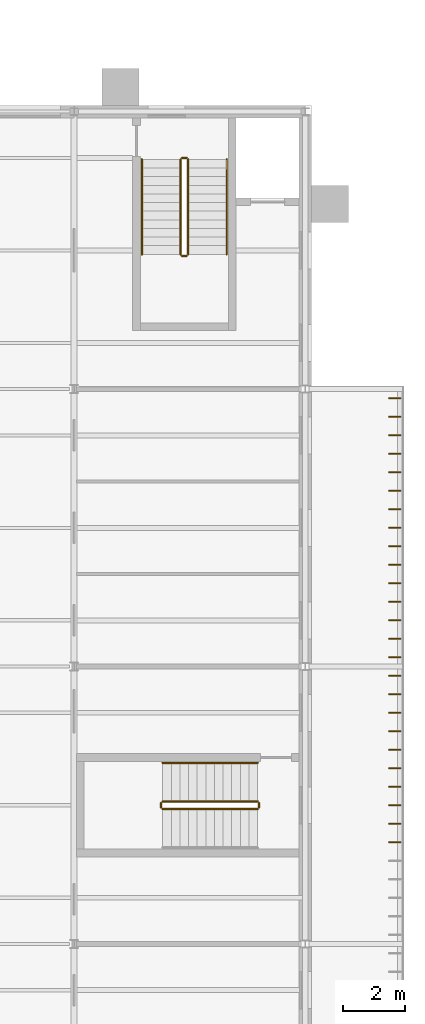
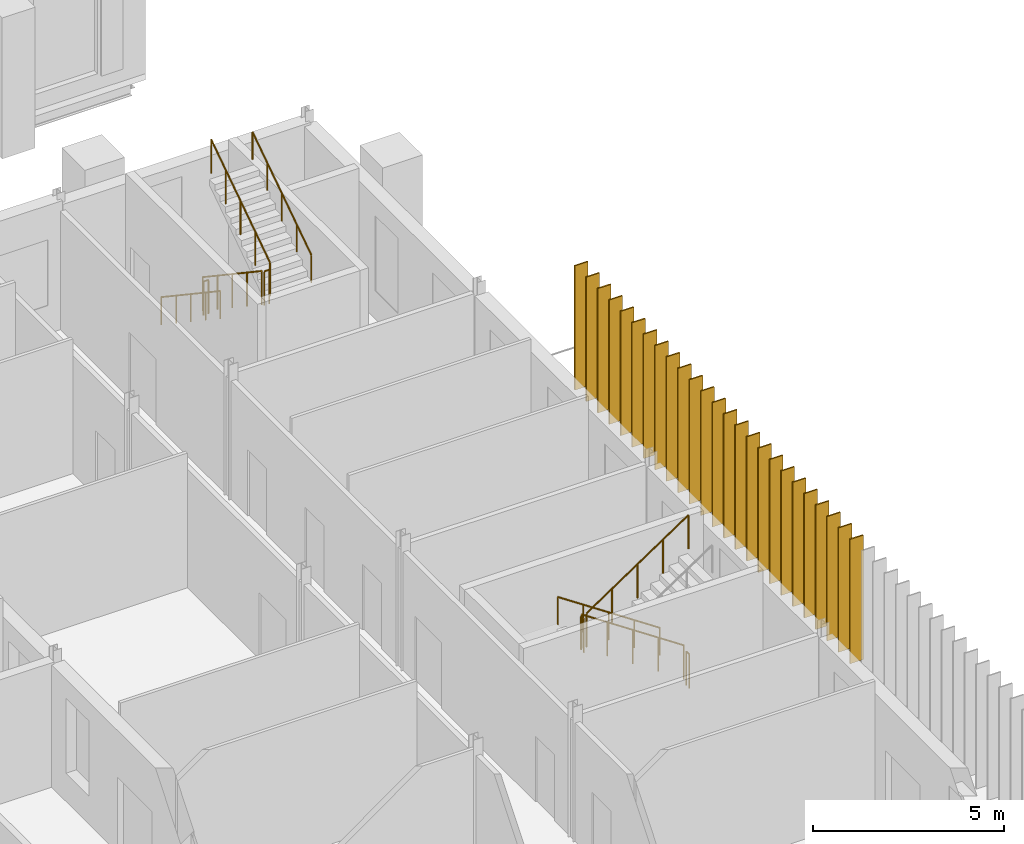
# One storey, part 128 of 134: 25 shading devices, 11 railings.
"""IFC4 building model written with IfcOpenShell, lengths in metres."""

from ifc_helpers import new_model, si_unit, direction, frame, origin, origin_2d, place, context, subcontext, project, spatial, rectangle, circle, extrude, material, layer, layer_set, type_object, element, save


model = new_model("IFC4")

# Units and contexts
model_context = context("Model", 3, precision=1e-05, world=origin(), true_north=direction((0.0, 1.0)))
body_context = subcontext(model_context, "Body", "Model", "MODEL_VIEW")
ifc_project = project(units=[si_unit("LENGTHUNIT", "METRE"), si_unit("AREAUNIT", "SQUARE_METRE"), si_unit("VOLUMEUNIT", "CUBIC_METRE"), si_unit("PLANEANGLEUNIT", "RADIAN"), si_unit("MASSUNIT", "GRAM", prefix="KILO")], contexts=[model_context])

# Site, building, storey
site_placement = place(None, origin())
site = spatial("IfcSite", under=ifc_project, at=site_placement, CompositionType="ELEMENT")
building_placement = place(site_placement, origin())
building = spatial("IfcBuilding", under=site, at=building_placement, Name="Golden Quay Civic Hall", CompositionType="ELEMENT")
storey_placement = place(building_placement, frame((0.0, 0.0, 5.39990234375)))
storey = spatial("IfcBuildingStorey", under=building, at=storey_placement, Name="L01", CompositionType="ELEMENT", Elevation=5.39990234375)

# Shading devices
ifc_material_1 = material(Name="Aluminium, anodised", Category="aluminium")
ifc_layer = layer(ifc_material_1, 0.0400390625)
ifc_layer_set = layer_set([ifc_layer], Name="Louvre fin 40 x 400")
shading_device_type = type_object("IfcShadingDeviceType", Name="Louvre fin 40 x 400", PredefinedType="JALOUSIE", material=ifc_layer_set)
for number, where, z_axis, x_axis, name in (
    (1, (173.89990234375, 30.300048828125, 0.0), (0.0, 0.0, 1.0), (0.0, 1.0, 0.0), "Louvre fin 40 x 400 L01 36"),
    (2, (173.89990234375, 30.89990234375, 0.0), (0.0, 0.0, 1.0), (0.0, 1.0, 0.0), "Louvre fin 40 x 400 L01 37"),
    (3, (173.89990234375, 31.5, 0.0), (0.0, 0.0, 1.0), (0.0, 1.0, 0.0), "Louvre fin 40 x 400 L01 38"),
    (4, (173.89990234375, 32.10009765625, 0.0), (0.0, 0.0, 1.0), (0.0, 1.0, 0.0), "Louvre fin 40 x 400 L01 39"),
    (5, (173.89990234375, 32.699951171875, 0.0), (0.0, 0.0, 1.0), (0.0, 1.0, 0.0), "Louvre fin 40 x 400 L01 40"),
    (6, (173.89990234375, 33.300048828125, 0.0), (0.0, 0.0, 1.0), (0.0, 1.0, 0.0), "Louvre fin 40 x 400 L01 41"),
    (7, (173.89990234375, 33.89990234375, 0.0), (0.0, 0.0, 1.0), (0.0, 1.0, 0.0), "Louvre fin 40 x 400 L01 42"),
    (8, (173.89990234375, 34.5, 0.0), (0.0, 0.0, 1.0), (0.0, 1.0, 0.0), "Louvre fin 40 x 400 L01 43"),
    (9, (173.89990234375, 35.10009765625, 0.0), (0.0, 0.0, 1.0), (0.0, 1.0, 0.0), "Louvre fin 40 x 400 L01 44"),
    (10, (173.89990234375, 35.699951171875, 0.0), (0.0, 0.0, 1.0), (0.0, 1.0, 0.0), "Louvre fin 40 x 400 L01 45"),
    (11, (173.89990234375, 36.300048828125, 0.0), (0.0, 0.0, 1.0), (0.0, 1.0, 0.0), "Louvre fin 40 x 400 L01 46"),
    (12, (173.89990234375, 36.89990234375, 0.0), (0.0, 0.0, 1.0), (0.0, 1.0, 0.0), "Louvre fin 40 x 400 L01 47"),
    (13, (173.89990234375, 37.5, 0.0), (0.0, 0.0, 1.0), (0.0, 1.0, 0.0), "Louvre fin 40 x 400 L01 48"),
    (14, (173.89990234375, 38.10009765625, 0.0), (0.0, 0.0, 1.0), (0.0, 1.0, 0.0), "Louvre fin 40 x 400 L01 49"),
    (15, (173.89990234375, 38.699951171875, 0.0), (0.0, 0.0, 1.0), (0.0, 1.0, 0.0), "Louvre fin 40 x 400 L01 50"),
    (16, (173.89990234375, 39.300048828125, 0.0), (0.0, 0.0, 1.0), (0.0, 1.0, 0.0), "Louvre fin 40 x 400 L01 51"),
    (17, (173.89990234375, 39.89990234375, 0.0), (0.0, 0.0, 1.0), (0.0, 1.0, 0.0), "Louvre fin 40 x 400 L01 52"),
    (18, (173.89990234375, 40.5, 0.0), (0.0, 0.0, 1.0), (0.0, 1.0, 0.0), "Louvre fin 40 x 400 L01 53"),
    (19, (173.89990234375, 41.10009765625, 0.0), (0.0, 0.0, 1.0), (0.0, 1.0, 0.0), "Louvre fin 40 x 400 L01 54"),
    (20, (173.89990234375, 41.699951171875, 0.0), (0.0, 0.0, 1.0), (0.0, 1.0, 0.0), "Louvre fin 40 x 400 L01 55"),
    (21, (173.89990234375, 42.300048828125, 0.0), (0.0, 0.0, 1.0), (0.0, 1.0, 0.0), "Louvre fin 40 x 400 L01 56"),
    (22, (173.89990234375, 42.89990234375, 0.0), (0.0, 0.0, 1.0), (0.0, 1.0, 0.0), "Louvre fin 40 x 400 L01 57"),
    (23, (173.89990234375, 43.5, 0.0), (0.0, 0.0, 1.0), (0.0, 1.0, 0.0), "Louvre fin 40 x 400 L01 58"),
    (24, (173.89990234375, 44.10009765625, 0.0), (0.0, 0.0, 1.0), (0.0, 1.0, 0.0), "Louvre fin 40 x 400 L01 59"),
    (25, (173.89990234375, 44.699951171875, 0.0), (0.0, 0.0, 1.0), (0.0, 1.0, 0.0), "Louvre fin 40 x 400 L01 60"),
):
    element("IfcShadingDevice", number, at=place(storey_placement, frame(where, z_axis=z_axis, x_axis=x_axis)), inside=storey, type_object=shading_device_type, Name=name, PredefinedType="JALOUSIE", context=body_context, shape_type="SweptSolid", body=[
        extrude(rectangle(XDim=0.0400390625, YDim=0.39990234375, at=origin_2d()), origin(), (0.0, 0.0, 1.0), 3.969970703125),
    ])

# Railings
ifc_material_2 = material(Name="Steel S355", Category="steel")
railing_type_1 = type_object("IfcRailingType", Name="Steel guard 1100", PredefinedType="GUARDRAIL", material=ifc_material_2)
railing_1_placement = place(storey_placement, frame((166.949951171875, 52.449951171875, 0.1875)))
element("IfcRailing", 26, at=railing_1_placement, inside=storey, type_object=railing_type_1, Name="L01 EO-N stair guard 1", PredefinedType="GUARDRAIL", context=body_context, shape_type="SweptSolid", body=[
    extrude(circle(Radius=0.02392578125, at=origin_2d()), frame((0.0, 0.0, 1.076171875), z_axis=(0.0, -0.830893310487, 0.556431762742), x_axis=(1.0, 0.0, 0.0)), (0.0, 0.0, 1.0), 3.70654296875),
    extrude(circle(Radius=0.02099609375, at=origin_2d()), origin(), (0.0, 0.0, 1.0), 1.052001953125),
    extrude(circle(Radius=0.02099609375, at=origin_2d()), frame((0.0, -0.77001953125, 0.515625)), (0.0, 0.0, 1.0), 1.052001953125),
    extrude(circle(Radius=0.02099609375, at=origin_2d()), frame((0.0, -1.5400390625, 1.03125)), (0.0, 0.0, 1.0), 1.052001953125),
    extrude(circle(Radius=0.02099609375, at=origin_2d()), frame((0.0, -2.309814453125, 1.546875)), (0.0, 0.0, 1.0), 1.052001953125),
    extrude(circle(Radius=0.02099609375, at=origin_2d()), frame((0.0, -3.079833984375, 2.0625)), (0.0, 0.0, 1.0), 1.052001953125),
])
railing_2_placement = place(storey_placement, frame((167.0, 49.320068359375, 2.25)))
element("IfcRailing", 27, at=railing_2_placement, inside=storey, type_object=railing_type_1, Name="L01 EO-N stair guard 2", PredefinedType="GUARDRAIL", context=body_context, shape_type="SweptSolid", body=[
    extrude(circle(Radius=0.02392578125, at=origin_2d()), frame((0.0, 0.0, 1.076171875), z_axis=(1.0, 0.0, 0.0), x_axis=(0.0, 1.0, 0.0)), (0.0, 0.0, 1.0), 0.14990234375),
    extrude(circle(Radius=0.02099609375, at=origin_2d()), origin(), (0.0, 0.0, 1.0), 1.052001953125),
    extrude(circle(Radius=0.02099609375, at=origin_2d()), frame((0.14990234375, 0.0, 0.0)), (0.0, 0.0, 1.0), 1.052001953125),
])
railing_3_placement = place(storey_placement, frame((167.199951171875, 49.3701171875, 2.4375)))
element("IfcRailing", 28, at=railing_3_placement, inside=storey, type_object=railing_type_1, Name="L01 EO-N stair guard 3", PredefinedType="GUARDRAIL", context=body_context, shape_type="SweptSolid", body=[
    extrude(circle(Radius=0.02392578125, at=origin_2d()), frame((0.0, 0.0, 1.076171875), z_axis=(0.0, 0.830893310487, 0.556431762742), x_axis=(-1.0, 0.0, 0.0)), (0.0, 0.0, 1.0), 3.70654296875),
    extrude(circle(Radius=0.02099609375, at=origin_2d()), origin(), (0.0, 0.0, 1.0), 1.052001953125),
    extrude(circle(Radius=0.02099609375, at=origin_2d()), frame((0.0, 0.77001953125, 0.515625)), (0.0, 0.0, 1.0), 1.052001953125),
    extrude(circle(Radius=0.02099609375, at=origin_2d()), frame((0.0, 1.5400390625, 1.03125)), (0.0, 0.0, 1.0), 1.052001953125),
    extrude(circle(Radius=0.02099609375, at=origin_2d()), frame((0.0, 2.309814453125, 1.546875)), (0.0, 0.0, 1.0), 1.052001953125),
    extrude(circle(Radius=0.02099609375, at=origin_2d()), frame((0.0, 3.079833984375, 2.0625)), (0.0, 0.0, 1.0), 1.052001953125),
])
railing_4_placement = place(storey_placement, frame((167.0, 52.5, 0.0)))
element("IfcRailing", 29, at=railing_4_placement, inside=storey, type_object=railing_type_1, Name="L01 EO-N stair guard 4", PredefinedType="GUARDRAIL", context=body_context, shape_type="SweptSolid", body=[
    extrude(circle(Radius=0.02392578125, at=origin_2d()), frame((0.0, 0.0, 1.076171875), z_axis=(1.0, 0.0, 0.0), x_axis=(0.0, 1.0, 0.0)), (0.0, 0.0, 1.0), 0.14990234375),
    extrude(circle(Radius=0.02099609375, at=origin_2d()), origin(), (0.0, 0.0, 1.0), 1.052001953125),
    extrude(circle(Radius=0.02099609375, at=origin_2d()), frame((0.14990234375, 0.0, 0.0)), (0.0, 0.0, 1.0), 1.052001953125),
])
railing_5_placement = place(storey_placement, frame((169.449951171875, 31.625, 0.1875)))
element("IfcRailing", 30, at=railing_5_placement, inside=storey, type_object=railing_type_1, Name="L01 EO-M stair guard 1", PredefinedType="GUARDRAIL", context=body_context, shape_type="SweptSolid", body=[
    extrude(circle(Radius=0.02392578125, at=origin_2d()), frame((0.0, 0.0, 1.076171875), z_axis=(-0.830893310487, 0.0, 0.556431762742), x_axis=(0.0, -1.0, 0.0)), (0.0, 0.0, 1.0), 3.70654296875),
    extrude(circle(Radius=0.02099609375, at=origin_2d()), origin(), (0.0, 0.0, 1.0), 1.052001953125),
    extrude(circle(Radius=0.02099609375, at=origin_2d()), frame((-0.77001953125, 0.0, 0.515625)), (0.0, 0.0, 1.0), 1.052001953125),
    extrude(circle(Radius=0.02099609375, at=origin_2d()), frame((-1.5400390625, 0.0, 1.03125)), (0.0, 0.0, 1.0), 1.052001953125),
    extrude(circle(Radius=0.02099609375, at=origin_2d()), frame((-2.309814453125, 0.0, 1.546875)), (0.0, 0.0, 1.0), 1.052001953125),
    extrude(circle(Radius=0.02099609375, at=origin_2d()), frame((-3.079833984375, 0.0, 2.0625)), (0.0, 0.0, 1.0), 1.052001953125),
])
railing_6_placement = place(storey_placement, frame((166.320068359375, 31.574951171875, 2.25)))
element("IfcRailing", 31, at=railing_6_placement, inside=storey, type_object=railing_type_1, Name="L01 EO-M stair guard 2", PredefinedType="GUARDRAIL", context=body_context, shape_type="SweptSolid", body=[
    extrude(circle(Radius=0.02392578125, at=origin_2d()), frame((0.0, 0.0, 1.076171875), z_axis=(0.0, -1.0, 0.0), x_axis=(1.0, 0.0, 0.0)), (0.0, 0.0, 1.0), 0.14990234375),
    extrude(circle(Radius=0.02099609375, at=origin_2d()), origin(), (0.0, 0.0, 1.0), 1.052001953125),
    extrude(circle(Radius=0.02099609375, at=origin_2d()), frame((0.0, -0.14990234375, 0.0)), (0.0, 0.0, 1.0), 1.052001953125),
])
railing_7_placement = place(storey_placement, frame((166.3701171875, 31.375, 2.4375)))
element("IfcRailing", 32, at=railing_7_placement, inside=storey, type_object=railing_type_1, Name="L01 EO-M stair guard 3", PredefinedType="GUARDRAIL", context=body_context, shape_type="SweptSolid", body=[
    extrude(circle(Radius=0.02392578125, at=origin_2d()), frame((0.0, 0.0, 1.076171875), z_axis=(0.830893310487, 0.0, 0.556431762742), x_axis=(0.0, 1.0, 0.0)), (0.0, 0.0, 1.0), 3.70654296875),
    extrude(circle(Radius=0.02099609375, at=origin_2d()), origin(), (0.0, 0.0, 1.0), 1.052001953125),
    extrude(circle(Radius=0.02099609375, at=origin_2d()), frame((0.77001953125, 0.0, 0.515625)), (0.0, 0.0, 1.0), 1.052001953125),
    extrude(circle(Radius=0.02099609375, at=origin_2d()), frame((1.5400390625, 0.0, 1.03125)), (0.0, 0.0, 1.0), 1.052001953125),
    extrude(circle(Radius=0.02099609375, at=origin_2d()), frame((2.309814453125, 0.0, 1.546875)), (0.0, 0.0, 1.0), 1.052001953125),
    extrude(circle(Radius=0.02099609375, at=origin_2d()), frame((3.079833984375, 0.0, 2.0625)), (0.0, 0.0, 1.0), 1.052001953125),
])
railing_8_placement = place(storey_placement, frame((169.5, 31.574951171875, 0.0)))
element("IfcRailing", 33, at=railing_8_placement, inside=storey, type_object=railing_type_1, Name="L01 EO-M stair guard 4", PredefinedType="GUARDRAIL", context=body_context, shape_type="SweptSolid", body=[
    extrude(circle(Radius=0.02392578125, at=origin_2d()), frame((0.0, 0.0, 1.076171875), z_axis=(0.0, -1.0, 0.0), x_axis=(1.0, 0.0, 0.0)), (0.0, 0.0, 1.0), 0.14990234375),
    extrude(circle(Radius=0.02099609375, at=origin_2d()), origin(), (0.0, 0.0, 1.0), 1.052001953125),
    extrude(circle(Radius=0.02099609375, at=origin_2d()), frame((0.0, -0.14990234375, 0.0)), (0.0, 0.0, 1.0), 1.052001953125),
])
ifc_material_3 = material(Name="Steel S355", Category="steel")
railing_type_2 = type_object("IfcRailingType", Name="Steel handrail 900", PredefinedType="HANDRAIL", material=ifc_material_3)
railing_9_placement = place(storey_placement, frame((165.699951171875, 52.449951171875, 0.1875)))
element("IfcRailing", 34, at=railing_9_placement, inside=storey, type_object=railing_type_2, Name="L01 EO-N stair handrail 1", PredefinedType="HANDRAIL", context=body_context, shape_type="SweptSolid", body=[
    extrude(circle(Radius=0.02392578125, at=origin_2d()), frame((0.0, 0.0, 0.8759765625), z_axis=(0.0, -0.830893310487, 0.556431762742), x_axis=(1.0, 0.0, 0.0)), (0.0, 0.0, 1.0), 3.70654296875),
    extrude(circle(Radius=0.02099609375, at=origin_2d()), origin(), (0.0, 0.0, 1.0), 0.851806640625),
    extrude(circle(Radius=0.02099609375, at=origin_2d()), frame((0.0, -0.77001953125, 0.515625)), (0.0, 0.0, 1.0), 0.851806640625),
    extrude(circle(Radius=0.02099609375, at=origin_2d()), frame((0.0, -1.5400390625, 1.03125)), (0.0, 0.0, 1.0), 0.851806640625),
    extrude(circle(Radius=0.02099609375, at=origin_2d()), frame((0.0, -2.309814453125, 1.546875)), (0.0, 0.0, 1.0), 0.851806640625),
    extrude(circle(Radius=0.02099609375, at=origin_2d()), frame((0.0, -3.079833984375, 2.0625)), (0.0, 0.0, 1.0), 0.851806640625),
])
railing_10_placement = place(storey_placement, frame((168.449951171875, 49.3701171875, 2.4375)))
element("IfcRailing", 35, at=railing_10_placement, inside=storey, type_object=railing_type_2, Name="L01 EO-N stair handrail 2", PredefinedType="HANDRAIL", context=body_context, shape_type="SweptSolid", body=[
    extrude(circle(Radius=0.02392578125, at=origin_2d()), frame((0.0, 0.0, 0.8759765625), z_axis=(0.0, 0.830893310487, 0.556431762742), x_axis=(-1.0, 0.0, 0.0)), (0.0, 0.0, 1.0), 3.70654296875),
    extrude(circle(Radius=0.02099609375, at=origin_2d()), origin(), (0.0, 0.0, 1.0), 0.851806640625),
    extrude(circle(Radius=0.02099609375, at=origin_2d()), frame((0.0, 0.77001953125, 0.515625)), (0.0, 0.0, 1.0), 0.851806640625),
    extrude(circle(Radius=0.02099609375, at=origin_2d()), frame((0.0, 1.5400390625, 1.03125)), (0.0, 0.0, 1.0), 0.851806640625),
    extrude(circle(Radius=0.02099609375, at=origin_2d()), frame((0.0, 2.309814453125, 1.546875)), (0.0, 0.0, 1.0), 0.851806640625),
    extrude(circle(Radius=0.02099609375, at=origin_2d()), frame((0.0, 3.079833984375, 2.0625)), (0.0, 0.0, 1.0), 0.851806640625),
])
railing_11_placement = place(storey_placement, frame((169.449951171875, 32.875, 0.1875)))
element("IfcRailing", 36, at=railing_11_placement, inside=storey, type_object=railing_type_2, Name="L01 EO-M stair handrail 1", PredefinedType="HANDRAIL", context=body_context, shape_type="SweptSolid", body=[
    extrude(circle(Radius=0.02392578125, at=origin_2d()), frame((0.0, 0.0, 0.8759765625), z_axis=(-0.830893310487, 0.0, 0.556431762742), x_axis=(0.0, -1.0, 0.0)), (0.0, 0.0, 1.0), 3.70654296875),
    extrude(circle(Radius=0.02099609375, at=origin_2d()), origin(), (0.0, 0.0, 1.0), 0.851806640625),
    extrude(circle(Radius=0.02099609375, at=origin_2d()), frame((-0.77001953125, 0.0, 0.515625)), (0.0, 0.0, 1.0), 0.851806640625),
    extrude(circle(Radius=0.02099609375, at=origin_2d()), frame((-1.5400390625, 0.0, 1.03125)), (0.0, 0.0, 1.0), 0.851806640625),
    extrude(circle(Radius=0.02099609375, at=origin_2d()), frame((-2.309814453125, 0.0, 1.546875)), (0.0, 0.0, 1.0), 0.851806640625),
    extrude(circle(Radius=0.02099609375, at=origin_2d()), frame((-3.079833984375, 0.0, 2.0625)), (0.0, 0.0, 1.0), 0.851806640625),
])

save(model, "model.ifc")
